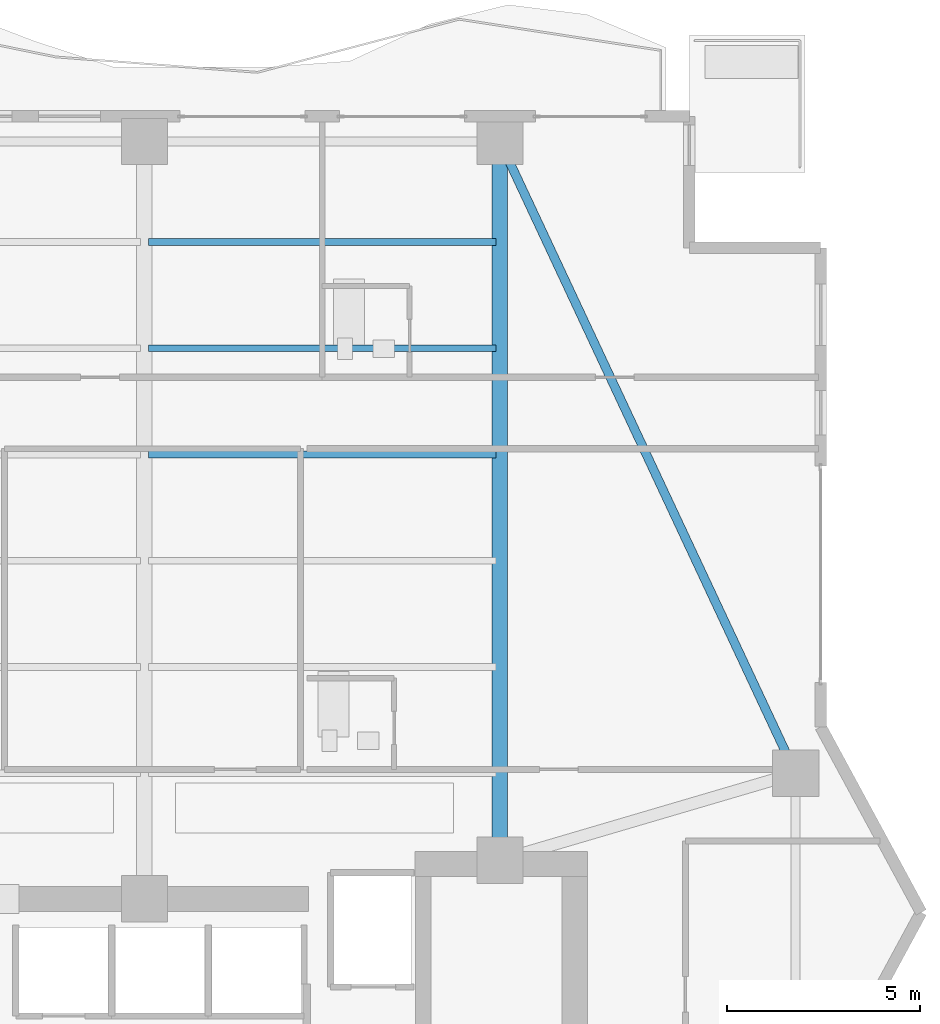
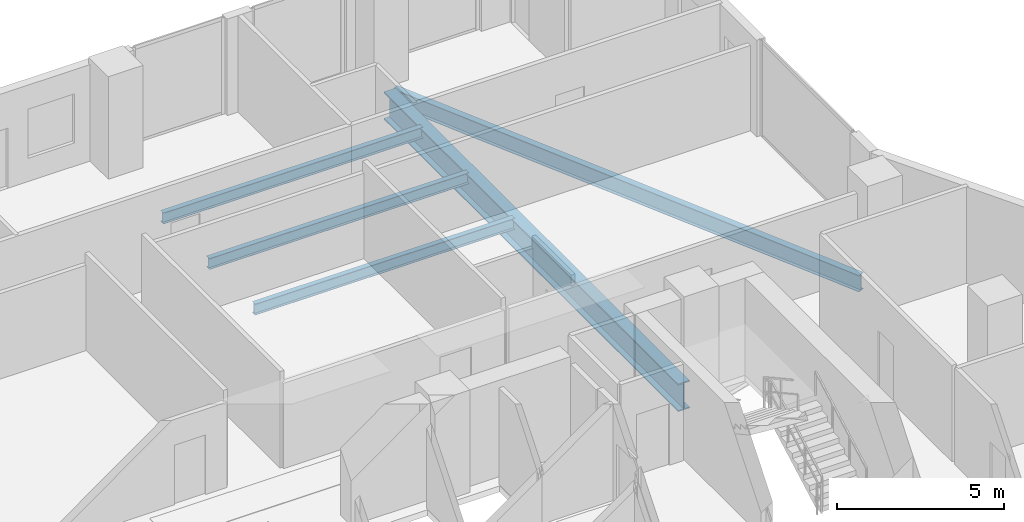
# One storey, part 21 of 33: 5 beams.
"""IFC4 building model written with IfcOpenShell, lengths in metres."""

from ifc_helpers import new_model, si_unit, direction, frame, origin, origin_2d, place, context, subcontext, project, spatial, i_section, extrude, material, material_profile, profile_set, type_object, element, save


model = new_model("IFC4")

# Units and contexts
model_context = context("Model", 3, precision=1e-05, world=origin(), true_north=direction((0.0, 1.0)))
body_context = subcontext(model_context, "Body", "Model", "MODEL_VIEW")
ifc_project = project(units=[si_unit("LENGTHUNIT", "METRE"), si_unit("AREAUNIT", "SQUARE_METRE"), si_unit("VOLUMEUNIT", "CUBIC_METRE"), si_unit("PLANEANGLEUNIT", "RADIAN"), si_unit("MASSUNIT", "GRAM", prefix="KILO")], contexts=[model_context])

# Site, building, storey
site_placement = place(None, origin())
site = spatial("IfcSite", under=ifc_project, at=site_placement, CompositionType="ELEMENT")
building_placement = place(site_placement, origin())
building = spatial("IfcBuilding", under=site, at=building_placement, Name="Zuhayl Quay Hotel", CompositionType="ELEMENT")
storey_placement = place(building_placement, frame((0.0, 0.0, 211.14990234375)))
storey = spatial("IfcBuildingStorey", under=building, at=storey_placement, Name="L53", CompositionType="ELEMENT", Elevation=211.14990234375)

# Beams
ifc_material = material(Name="Steel ASTM A992 Grade 50", Category="steel")
ifc_material_profile_1 = material_profile(ifc_material, i_section(OverallWidth=0.22802734375, OverallDepth=0.60693359375, WebThickness=0.01123046875, FlangeThickness=0.017333984375, at=origin_2d()), Name="W24X76")
ifc_profile_set_1 = profile_set([ifc_material_profile_1], Name="Steel ASTM A992 Grade 50")
beam_type_1 = type_object("IfcBeamType", Name="BM_B3_W24X76", PredefinedType="BEAM", material=ifc_profile_set_1)
beam_1_placement = place(storey_placement, frame((21.238037109375, 17.052978515625, -0.5234375), z_axis=(-0.423792164429, 0.905759461098, 0.0), x_axis=(-0.905759461098, -0.423792164429, 0.0)))
element("IfcBeam", 1, at=beam_1_placement, inside=storey, type_object=beam_type_1, Name="L53 Floor Beam RG_L53_06", PredefinedType="BEAM", context=body_context, shape_type="SweptSolid", body=[
    extrude(i_section(OverallWidth=0.22802734375, OverallDepth=0.60693359375, WebThickness=0.01123046875, FlangeThickness=0.017333984375, at=origin_2d()), origin(), (0.0, 0.0, 1.0), 17.051025390625),
])
ifc_material_profile_2 = material_profile(ifc_material, i_section(OverallWidth=0.177978515625, OverallDepth=0.406005859375, WebThickness=0.0078125, FlangeThickness=0.0126953125, at=origin_2d()), Name="W16X40")
ifc_profile_set_2 = profile_set([ifc_material_profile_2], Name="Steel ASTM A992 Grade 50")
beam_type_2 = type_object("IfcBeamType", Name="BM_J2B_W16X40", PredefinedType="JOIST", material=ifc_profile_set_2)
for number, where, z_axis, x_axis, name in (
    (2, (4.7060546875, 24.85009765625, -0.4228515625), (1.0, 0.0, 0.0), (0.0, 1.0, 0.0), "L53 Floor Beam FJ_L53_4_3"),
    (3, (4.7060546875, 27.60009765625, -0.4228515625), (1.0, 0.0, 0.0), (0.0, 1.0, 0.0), "L53 Floor Beam FJ_L53_5_3"),
    (4, (4.7060546875, 30.35009765625, -0.4228515625), (1.0, 0.0, 0.0), (0.0, 1.0, 0.0), "L53 Floor Beam FJ_L53_6_3"),
):
    element("IfcBeam", number, at=place(storey_placement, frame(where, z_axis=z_axis, x_axis=x_axis)), inside=storey, type_object=beam_type_2, Name=name, PredefinedType="JOIST", context=body_context, shape_type="SweptSolid", body=[
        extrude(i_section(OverallWidth=0.177978515625, OverallDepth=0.406005859375, WebThickness=0.0078125, FlangeThickness=0.0126953125, at=origin_2d()), origin(), (0.0, 0.0, 1.0), 8.988037109375),
    ])
ifc_material_profile_3 = material_profile(ifc_material, i_section(OverallWidth=0.40087890625, OverallDepth=1.010986328125, WebThickness=0.023681640625, FlangeThickness=0.0419921875, at=origin_2d()), Name="W40X297")
ifc_profile_set_3 = profile_set([ifc_material_profile_3], Name="Steel ASTM A992 Grade 50")
beam_type_3 = type_object("IfcBeamType", Name="BM_TG2_W40X297", PredefinedType="BEAM", material=ifc_profile_set_3)
beam_2_placement = place(storey_placement, frame((13.800048828125, 14.800048828125, -0.725341796875), z_axis=(0.0, 1.0, 0.0), x_axis=(-1.0, 0.0, 0.0)))
element("IfcBeam", 5, at=beam_2_placement, inside=storey, type_object=beam_type_3, Name="L53 Floor Beam FG_N_L53_4", PredefinedType="BEAM", context=body_context, shape_type="SweptSolid", body=[
    extrude(i_section(OverallWidth=0.40087890625, OverallDepth=1.010986328125, WebThickness=0.023681640625, FlangeThickness=0.0419921875, at=origin_2d()), origin(), (0.0, 0.0, 1.0), 17.64990234375),
])

save(model, "model.ifc")
